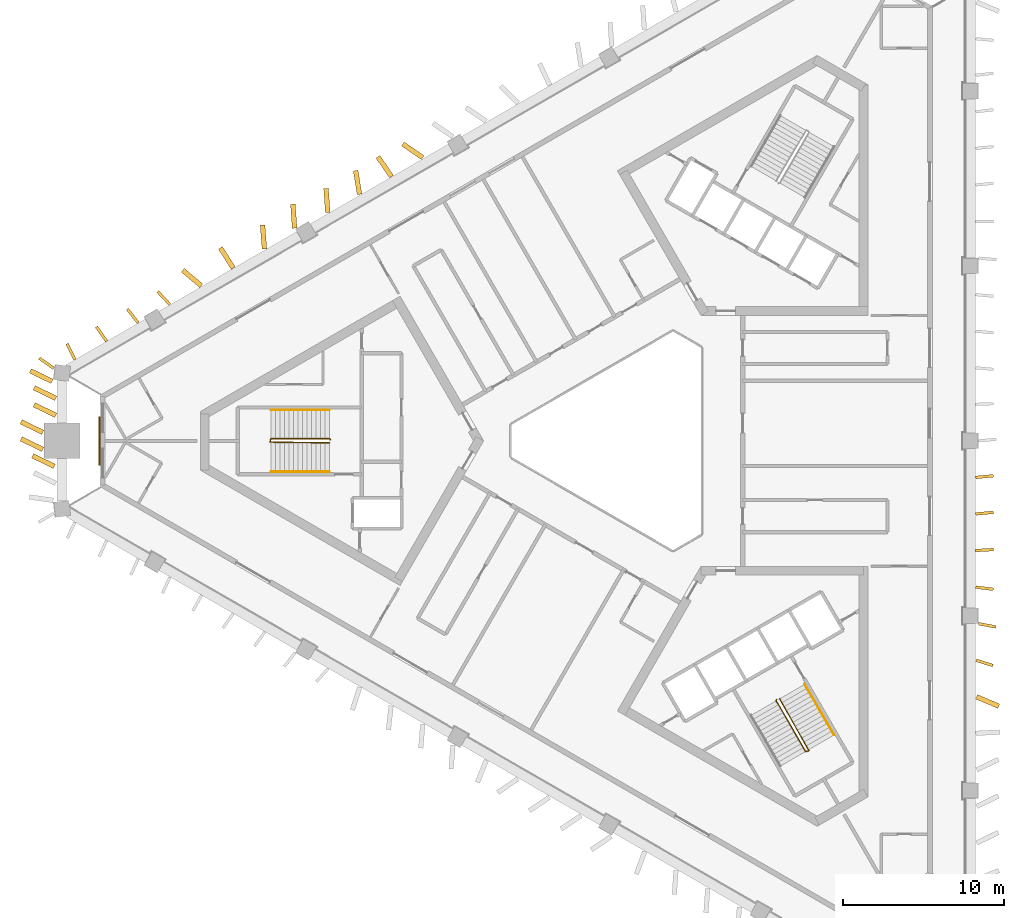
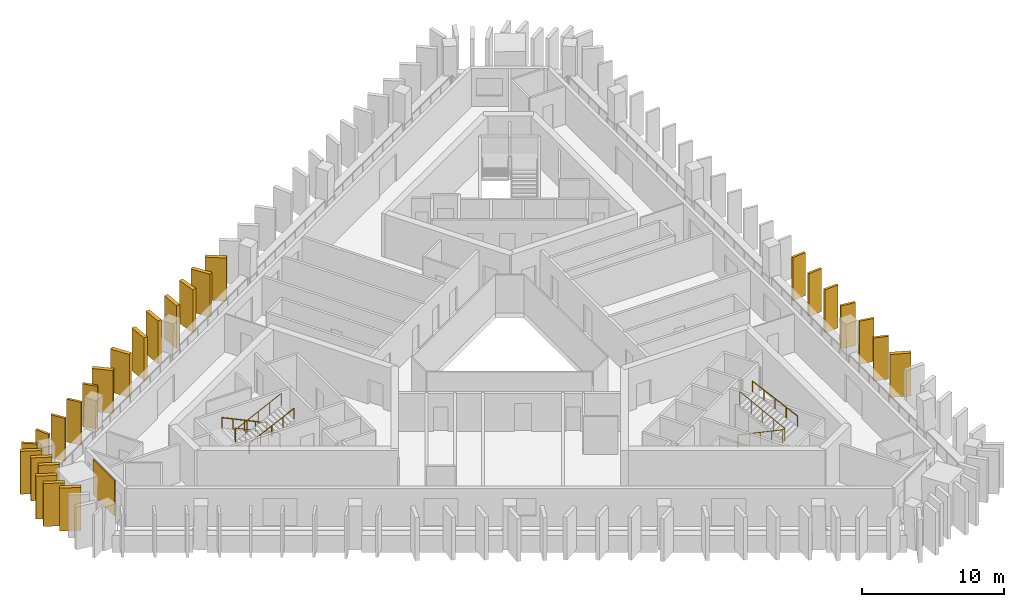
# One storey, part 8 of 10: 26 shading devices, 5 railings, 1 covering.
"""IFC4 building model written with IfcOpenShell, lengths in metres."""

from ifc_helpers import new_model, si_unit, direction, frame, frame_2d, origin, origin_2d, place, context, subcontext, project, spatial, rectangle, circle, extrude, material, layer, layer_set, type_object, element, save


model = new_model("IFC4")

# Units and contexts
model_context = context("Model", 3, precision=1e-05, world=origin(), true_north=direction((0.0, 1.0)))
body_context = subcontext(model_context, "Body", "Model", "MODEL_VIEW")
ifc_project = project(units=[si_unit("LENGTHUNIT", "METRE"), si_unit("AREAUNIT", "SQUARE_METRE"), si_unit("VOLUMEUNIT", "CUBIC_METRE"), si_unit("PLANEANGLEUNIT", "RADIAN"), si_unit("MASSUNIT", "GRAM", prefix="KILO")], contexts=[model_context])

# Site, building, storey
site_placement = place(None, origin())
site = spatial("IfcSite", under=ifc_project, at=site_placement, CompositionType="ELEMENT")
building_placement = place(site_placement, origin())
building = spatial("IfcBuilding", under=site, at=building_placement, Name="Jabali Bay Hotel Tower and Convention Centre", CompositionType="ELEMENT")
storey_placement = place(building_placement, frame((0.0, 0.0, 167.39990234375)))
storey = spatial("IfcBuildingStorey", under=building, at=storey_placement, Name="L40", CompositionType="ELEMENT", Elevation=167.39990234375)

# Shading devices
ifc_material_1 = material(Name="Precast concrete C60", Category="concrete")
ifc_layer_1 = layer(ifc_material_1, 0.179931640625)
ifc_layer_set_1 = layer_set([ifc_layer_1], Name="Precast concrete C60")
shading_device_type_1 = type_object("IfcShadingDeviceType", Name="Precast fin 3680 x 1100", PredefinedType="USERDEFINED", material=ifc_layer_set_1)
shading_device_1_placement = place(storey_placement, frame((96.595458984375, 66.369384765625, 0.010009765625), z_axis=(0.0, 0.0, 1.0), x_axis=(0.954191225605, -0.299197434779, 0.0)))
element("IfcShadingDevice", 1, at=shading_device_1_placement, inside=storey, type_object=shading_device_type_1, Name="Fin L40 006", ObjectType="FIN", PredefinedType="USERDEFINED", context=body_context, shape_type="SweptSolid", body=[
    extrude(rectangle(XDim=1.099853515625, YDim=0.179931640625, at=frame_2d((0.5498046875, 0.0))), origin(), (0.0, 0.0, 1.0), 3.68017578125),
])
shading_device_2_placement = place(storey_placement, frame((96.7490234375, 68.64111328125, 0.010009765625), z_axis=(0.0, 0.0, 1.0), x_axis=(0.982217933721, -0.187744322623, 0.0)))
element("IfcShadingDevice", 2, at=shading_device_2_placement, inside=storey, type_object=shading_device_type_1, Name="Fin L40 007", ObjectType="FIN", PredefinedType="USERDEFINED", context=body_context, shape_type="SweptSolid", body=[
    extrude(rectangle(XDim=1.10009765625, YDim=0.179931640625, at=frame_2d((0.550048828125, 0.0))), origin(), (0.0, 0.0, 1.0), 3.68017578125),
])
shading_device_3_placement = place(storey_placement, frame((96.579833984375, 70.912841796875, 0.010009765625), z_axis=(0.0, 0.0, 1.0), x_axis=(0.992133797061, -0.125181982448, 0.0)))
element("IfcShadingDevice", 3, at=shading_device_3_placement, inside=storey, type_object=shading_device_type_1, Name="Fin L40 008", ObjectType="FIN", PredefinedType="USERDEFINED", context=body_context, shape_type="SweptSolid", body=[
    extrude(rectangle(XDim=1.099853515625, YDim=0.179931640625, at=frame_2d((0.5498046875, 0.0))), origin(), (0.0, 0.0, 1.0), 3.68017578125),
])
for number, where, z_axis, x_axis, name in (
    (4, (96.573486328125, 73.1845703125, 0.010009765625), (0.0, 0.0, 1.0), (0.998397590446, 0.056588438667, 0.0), "Fin L40 009"),
    (5, (96.576904296875, 75.45654296875, 0.010009765625), (0.0, 0.0, 1.0), (0.995479501061, 0.094976644328, 0.0), "Fin L40 010"),
    (6, (96.57666015625, 77.728271484375, 0.010009765625), (0.0, 0.0, 1.0), (0.995709303275, 0.092536389451, 0.0), "Fin L40 011"),
    (7, (46.4990234375, 88.473388671875, 0.010009765625), (0.0, 0.0, 1.0), (-0.681582493106, 0.731741282894, 0.0), "Fin L40 054"),
):
    element("IfcShadingDevice", number, at=place(storey_placement, frame(where, z_axis=z_axis, x_axis=x_axis)), inside=storey, type_object=shading_device_type_1, Name=name, ObjectType="FIN", PredefinedType="USERDEFINED", context=body_context, shape_type="SweptSolid", body=[
        extrude(rectangle(XDim=1.10009765625, YDim=0.179931640625, at=frame_2d((0.550048828125, 0.0))), origin(), (0.0, 0.0, 1.0), 3.68017578125),
    ])
shading_device_4_placement = place(storey_placement, frame((44.53515625, 87.3310546875, 0.010009765625), z_axis=(0.0, 0.0, 1.0), x_axis=(-0.617468608103, 0.786595523765, 0.0)))
element("IfcShadingDevice", 8, at=shading_device_4_placement, inside=storey, type_object=shading_device_type_1, Name="Fin L40 055", ObjectType="FIN", PredefinedType="USERDEFINED", context=body_context, shape_type="SweptSolid", body=[
    extrude(rectangle(XDim=1.099853515625, YDim=0.179931640625, at=frame_2d((0.5498046875, 0.0))), origin(), (0.0, 0.0, 1.0), 3.68017578125),
])
for number, where, z_axis, x_axis, name in (
    (9, (42.5703125, 86.190673828125, 0.010009765625), (0.0, 0.0, 1.0), (-0.572598108682, 0.819836206772, 0.0), "Fin L40 056"),
    (10, (40.604248046875, 85.052734375, 0.010009765625), (0.0, 0.0, 1.0), (-0.44872201423, 0.893671390358, 0.0), "Fin L40 057"),
    (11, (39.28173828125, 84.508544921875, 0.010009765625), (0.0, 0.0, 1.0), (-0.814871470204, 0.5796416885, 0.0), "Fin L40 102"),
):
    element("IfcShadingDevice", number, at=place(storey_placement, frame(where, z_axis=z_axis, x_axis=x_axis)), inside=storey, type_object=shading_device_type_1, Name=name, ObjectType="FIN", PredefinedType="USERDEFINED", context=body_context, shape_type="SweptSolid", body=[
        extrude(rectangle(XDim=1.10009765625, YDim=0.179931640625, at=frame_2d((0.550048828125, 0.0))), origin(), (0.0, 0.0, 1.0), 3.68017578125),
    ])
ifc_layer_2 = layer(ifc_material_1, 0.300048828125)
ifc_layer_set_2 = layer_set([ifc_layer_2], Name="Precast concrete C60")
shading_device_type_2 = type_object("IfcShadingDeviceType", Name="Precast fin 3680 x 1500", PredefinedType="USERDEFINED", material=ifc_layer_set_2)
for number, where, z_axis, x_axis, name in (
    (12, (96.626953125, 64.09765625, 0.010009765625), (0.0, 0.0, 1.0), (0.920895351488, -0.389809891625, 0.0), "Fin L40 005"),
    (13, (62.216064453125, 97.598876953125, 0.010009765625), (0.0, 0.0, 1.0), (-0.824231839999, 0.566252482495, 0.0), "Fin L40 046"),
    (14, (60.275390625, 96.4169921875, 0.010009765625), (0.0, 0.0, 1.0), (-0.564129479683, 0.825686338843, 0.0), "Fin L40 047"),
    (15, (58.286865234375, 95.3173828125, 0.010009765625), (0.0, 0.0, 1.0), (-0.159513894445, 0.987195683479, 0.0), "Fin L40 048"),
):
    element("IfcShadingDevice", number, at=place(storey_placement, frame(where, z_axis=z_axis, x_axis=x_axis)), inside=storey, type_object=shading_device_type_2, Name=name, ObjectType="FIN", PredefinedType="USERDEFINED", context=body_context, shape_type="SweptSolid", body=[
        extrude(rectangle(XDim=1.5, YDim=0.300048828125, at=frame_2d((0.75, 0.0))), origin(), (0.0, 0.0, 1.0), 3.68017578125),
    ])
for number, where, z_axis, x_axis, name in (
    (16, (56.313232421875, 94.192138671875, 0.010009765625), (0.0, 0.0, 1.0), (-0.070969422699, 0.997478491518, 0.0), "Fin L40 049"),
    (17, (54.2548828125, 93.214111328125, 0.010009765625), (0.0, 0.0, 1.0), (-0.072600465566, 0.997361104315, 0.0), "Fin L40 050"),
):
    element("IfcShadingDevice", number, at=place(storey_placement, frame(where, z_axis=z_axis, x_axis=x_axis)), inside=storey, type_object=shading_device_type_2, Name=name, ObjectType="FIN", PredefinedType="USERDEFINED", context=body_context, shape_type="SweptSolid", body=[
        extrude(rectangle(XDim=1.499755859375, YDim=0.300048828125, at=frame_2d((0.75, 0.0))), origin(), (0.0, 0.0, 1.0), 3.68017578125),
    ])
for number, where, z_axis, x_axis, name in (
    (18, (52.379150390625, 91.91943359375, 0.010009765625), (0.0, 0.0, 1.0), (-0.078936591816, 0.99687963891, 0.0), "Fin L40 051"),
    (19, (50.44091796875, 90.732666015625, 0.010009765625), (0.0, 0.0, 1.0), (-0.533564238007, 0.845759542613, 0.0), "Fin L40 052"),
    (20, (48.451171875, 89.6357421875, 0.010009765625), (0.0, 0.0, 1.0), (-0.763639336488, 0.645643062201, 0.0), "Fin L40 053"),
):
    element("IfcShadingDevice", number, at=place(storey_placement, frame(where, z_axis=z_axis, x_axis=x_axis)), inside=storey, type_object=shading_device_type_2, Name=name, ObjectType="FIN", PredefinedType="USERDEFINED", context=body_context, shape_type="SweptSolid", body=[
        extrude(rectangle(XDim=1.5, YDim=0.300048828125, at=frame_2d((0.75, 0.0))), origin(), (0.0, 0.0, 1.0), 3.68017578125),
    ])
for number, where, z_axis, x_axis, name in (
    (21, (39.178466796875, 83.69873046875, 0.010009765625), (0.0, 0.0, 1.0), (-0.899160672984, 0.437618651521, 0.0), "Fin L40 058"),
    (22, (39.4169921875, 82.641845703125, 0.010009765625), (0.0, 0.0, 1.0), (-0.899160672984, 0.437618651521, 0.0), "Fin L40 059"),
    (23, (39.4169921875, 81.585205078125, 0.010009765625), (0.0, 0.0, 1.0), (-0.899160672984, 0.437618651521, 0.0), "Fin L40 060"),
):
    element("IfcShadingDevice", number, at=place(storey_placement, frame(where, z_axis=z_axis, x_axis=x_axis)), inside=storey, type_object=shading_device_type_2, Name=name, ObjectType="FIN", PredefinedType="USERDEFINED", context=body_context, shape_type="SweptSolid", body=[
        extrude(rectangle(XDim=1.500244140625, YDim=0.300048828125, at=frame_2d((0.75, 0.0))), origin(), (0.0, 0.0, 1.0), 3.68017578125),
    ])
for number, where, z_axis, x_axis, name in (
    (24, (38.604248046875, 80.5283203125, 0.010009765625), (0.0, 0.0, 1.0), (-0.899129499022, 0.43768269784, 0.0), "Fin L40 061"),
    (25, (38.604248046875, 79.4716796875, 0.010009765625), (0.0, 0.0, 1.0), (-0.899129499022, 0.43768269784, 0.0), "Fin L40 062"),
    (26, (39.323974609375, 78.414794921875, 0.010009765625), (0.0, 0.0, 1.0), (-0.899129499022, 0.43768269784, 0.0), "Fin L40 063"),
):
    element("IfcShadingDevice", number, at=place(storey_placement, frame(where, z_axis=z_axis, x_axis=x_axis)), inside=storey, type_object=shading_device_type_2, Name=name, ObjectType="FIN", PredefinedType="USERDEFINED", context=body_context, shape_type="SweptSolid", body=[
        extrude(rectangle(XDim=1.5, YDim=0.300048828125, at=frame_2d((0.75, 0.0))), origin(), (0.0, 0.0, 1.0), 3.68017578125),
    ])

# Covering
ifc_material_2 = material(Name="Precast concrete C40/50", Category="concrete")
ifc_layer_3 = layer(ifc_material_2, 0.080078125)
ifc_layer_set_3 = layer_set([ifc_layer_3], Name="Precast concrete C40/50")
covering_type = type_object("IfcCoveringType", Name="Relief panel 3000 x 3050", PredefinedType="CLADDING", material=ifc_layer_set_3)
covering_placement = place(storey_placement, frame((42.12939453125, 80.0, 0.10009765625), z_axis=(0.0, 0.0, 1.0), x_axis=(0.0, 1.0, 0.0)))
element("IfcCovering", 27, at=covering_placement, inside=storey, type_object=covering_type, Name="Relief panel L40", PredefinedType="CLADDING", context=body_context, shape_type="SweptSolid", body=[
    extrude(rectangle(XDim=3.0, YDim=0.080078125, at=origin_2d()), origin(), (0.0, 0.0, 1.0), 3.050048828125),
])

# Railings
ifc_material_3 = material(Name="Steel Q355B", Category="steel")
railing_type_1 = type_object("IfcRailingType", Name="Stair guard 1100", PredefinedType="GUARDRAIL", material=ifc_material_3)
railing_1_placement = place(storey_placement, frame((56.469970703125, 80.074951171875, 0.0)))
element("IfcRailing", 28, at=railing_1_placement, inside=storey, type_object=railing_type_1, Name="L40 ST1 stair guard 1", PredefinedType="GUARDRAIL", context=body_context, shape_type="SweptSolid", body=[
    extrude(circle(Radius=0.02392578125, at=origin_2d()), frame((0.0, 0.0, 1.076171875), z_axis=(-0.333514590198, 0.333514590198, 0.881780038474), x_axis=(-0.707106781187, -0.707106781187, 0.0)), (0.0, 0.0, 1.0), 0.150146484375),
    extrude(circle(Radius=0.02392578125, at=origin_2d()), frame((-0.050048828125, 0.050048828125, 1.20849609375), z_axis=(-0.904350763662, 0.0, 0.426789990819), x_axis=(0.0, -1.0, 0.0)), (0.0, 0.0, 1.0), 4.02490234375),
    extrude(circle(Radius=0.02392578125, at=origin_2d()), frame((-3.68994140625, 0.050048828125, 2.92626953125), z_axis=(-0.242814311512, -0.970072785993, 0.0), x_axis=(0.970072785993, -0.242814311512, 0.0)), (0.0, 0.0, 1.0), 0.2060546875),
    extrude(circle(Radius=0.02392578125, at=origin_2d()), frame((-3.739990234375, -0.14990234375, 2.92626953125), z_axis=(0.893864111827, -0.012124000458, 0.448174026692), x_axis=(0.013562335953, 0.999908027292, 0.0)), (0.0, 0.0, 1.0), 4.128173828125),
    extrude(circle(Radius=0.02099609375, at=origin_2d()), origin(), (0.0, 0.0, 1.0), 1.052001953125),
    extrude(circle(Radius=0.02099609375, at=origin_2d()), frame((-0.050048828125, 0.050048828125, 0.13232421875)), (0.0, 0.0, 1.0), 1.052001953125),
    extrude(circle(Radius=0.02099609375, at=origin_2d()), frame((-0.9599609375, 0.050048828125, 0.561767578125)), (0.0, 0.0, 1.0), 1.052001953125),
    extrude(circle(Radius=0.02099609375, at=origin_2d()), frame((-1.8701171875, 0.050048828125, 0.9912109375)), (0.0, 0.0, 1.0), 1.052001953125),
    extrude(circle(Radius=0.02099609375, at=origin_2d()), frame((-2.780029296875, 0.050048828125, 1.420654296875)), (0.0, 0.0, 1.0), 1.052001953125),
    extrude(circle(Radius=0.02099609375, at=origin_2d()), frame((-3.68994140625, 0.050048828125, 1.85009765625)), (0.0, 0.0, 1.0), 1.052001953125),
    extrude(circle(Radius=0.02099609375, at=origin_2d()), frame((-3.739990234375, -0.14990234375, 1.85009765625)), (0.0, 0.0, 1.0), 1.052001953125),
    extrude(circle(Radius=0.02099609375, at=origin_2d()), frame((-2.8173828125, -0.162353515625, 2.3125)), (0.0, 0.0, 1.0), 1.052001953125),
    extrude(circle(Radius=0.02099609375, at=origin_2d()), frame((-1.89501953125, -0.1748046875, 2.775146484375)), (0.0, 0.0, 1.0), 1.052001953125),
    extrude(circle(Radius=0.02099609375, at=origin_2d()), frame((-0.97265625, -0.1875, 3.23779296875)), (0.0, 0.0, 1.0), 1.052001953125),
    extrude(circle(Radius=0.02099609375, at=origin_2d()), frame((-0.050048828125, -0.199951171875, 3.7001953125)), (0.0, 0.0, 1.0), 1.052001953125),
])
railing_2_placement = place(storey_placement, frame((84.199951171875, 63.9150390625, 0.0)))
element("IfcRailing", 29, at=railing_2_placement, inside=storey, type_object=railing_type_1, Name="L40 ST3 stair guard 1", PredefinedType="GUARDRAIL", context=body_context, shape_type="SweptSolid", body=[
    extrude(circle(Radius=0.02392578125, at=origin_2d()), frame((0.0, 0.0, 1.076171875), z_axis=(-0.122021570157, -0.455547195254, 0.88180921367), x_axis=(0.965948051503, -0.258736085224, 0.0)), (0.0, 0.0, 1.0), 0.150146484375),
    extrude(circle(Radius=0.02392578125, at=origin_2d()), frame((-0.018310546875, -0.068359375, 1.20849609375), z_axis=(0.452190331055, -0.783190014029, 0.426775475427), x_axis=(0.866018046521, 0.500012742938, 0.0)), (0.0, 0.0, 1.0), 4.02490234375),
    extrude(circle(Radius=0.02392578125, at=origin_2d()), frame((1.8017578125, -3.220703125, 2.92626953125), z_axis=(0.96121063429, 0.275815366736, 0.0), x_axis=(-0.275815366736, 0.96121063429, 0.0)), (0.0, 0.0, 1.0), 0.206298828125),
    extrude(circle(Radius=0.02392578125, at=origin_2d()), frame((2.0, -3.163818359375, 2.92626953125), z_axis=(-0.436470229993, 0.780146179382, 0.448180406895), x_axis=(-0.872702246529, -0.488252792008, 0.0)), (0.0, 0.0, 1.0), 4.1279296875),
    extrude(circle(Radius=0.02099609375, at=origin_2d()), origin(), (0.0, 0.0, 1.0), 1.052001953125),
    extrude(circle(Radius=0.02099609375, at=origin_2d()), frame((-0.018310546875, -0.068359375, 0.13232421875)), (0.0, 0.0, 1.0), 1.052001953125),
    extrude(circle(Radius=0.02099609375, at=origin_2d()), frame((0.436767578125, -0.8564453125, 0.561767578125)), (0.0, 0.0, 1.0), 1.052001953125),
    extrude(circle(Radius=0.02099609375, at=origin_2d()), frame((0.8916015625, -1.64453125, 0.9912109375)), (0.0, 0.0, 1.0), 1.052001953125),
    extrude(circle(Radius=0.02099609375, at=origin_2d()), frame((1.3466796875, -2.4326171875, 1.420654296875)), (0.0, 0.0, 1.0), 1.052001953125),
    extrude(circle(Radius=0.02099609375, at=origin_2d()), frame((1.8017578125, -3.220703125, 1.85009765625)), (0.0, 0.0, 1.0), 1.052001953125),
    extrude(circle(Radius=0.02099609375, at=origin_2d()), frame((2.0, -3.163818359375, 1.85009765625)), (0.0, 0.0, 1.0), 1.052001953125),
    extrude(circle(Radius=0.02099609375, at=origin_2d()), frame((1.549560546875, -2.358642578125, 2.3125)), (0.0, 0.0, 1.0), 1.052001953125),
    extrude(circle(Radius=0.02099609375, at=origin_2d()), frame((1.09912109375, -1.5537109375, 2.775146484375)), (0.0, 0.0, 1.0), 1.052001953125),
    extrude(circle(Radius=0.02099609375, at=origin_2d()), frame((0.648681640625, -0.74853515625, 3.23779296875)), (0.0, 0.0, 1.0), 1.052001953125),
    extrude(circle(Radius=0.02099609375, at=origin_2d()), frame((0.1982421875, 0.056640625, 3.7001953125)), (0.0, 0.0, 1.0), 1.052001953125),
])
railing_type_2 = type_object("IfcRailingType", Name="Stair handrail 900", PredefinedType="HANDRAIL", material=ifc_material_3)
railing_3_placement = place(storey_placement, frame((56.419921875, 81.925048828125, 0.13232421875)))
element("IfcRailing", 30, at=railing_3_placement, inside=storey, type_object=railing_type_2, Name="L40 ST1 stair handrail 1", PredefinedType="HANDRAIL", context=body_context, shape_type="SweptSolid", body=[
    extrude(circle(Radius=0.02392578125, at=origin_2d()), frame((0.0, 0.0, 0.8759765625), z_axis=(-0.904350763662, 0.0, 0.426789990819), x_axis=(0.0, -1.0, 0.0)), (0.0, 0.0, 1.0), 4.02490234375),
    extrude(circle(Radius=0.02099609375, at=origin_2d()), origin(), (0.0, 0.0, 1.0), 0.851806640625),
    extrude(circle(Radius=0.02099609375, at=origin_2d()), frame((-0.909912109375, 0.0, 0.429443359375)), (0.0, 0.0, 1.0), 0.851806640625),
    extrude(circle(Radius=0.02099609375, at=origin_2d()), frame((-1.81982421875, 0.0, 0.85888671875)), (0.0, 0.0, 1.0), 0.851806640625),
    extrude(circle(Radius=0.02099609375, at=origin_2d()), frame((-2.72998046875, 0.0, 1.288330078125)), (0.0, 0.0, 1.0), 0.851806640625),
    extrude(circle(Radius=0.02099609375, at=origin_2d()), frame((-3.639892578125, 0.0, 1.7177734375)), (0.0, 0.0, 1.0), 0.851806640625),
])
railing_4_placement = place(storey_placement, frame((52.780029296875, 78.074951171875, 1.982177734375)))
element("IfcRailing", 31, at=railing_4_placement, inside=storey, type_object=railing_type_2, Name="L40 ST1 stair handrail 2", PredefinedType="HANDRAIL", context=body_context, shape_type="SweptSolid", body=[
    extrude(circle(Radius=0.02392578125, at=origin_2d()), frame((0.0, 0.0, 0.8759765625), z_axis=(0.904327350853, 0.0, 0.426839598092), x_axis=(0.0, 1.0, 0.0)), (0.0, 0.0, 1.0), 4.02490234375),
    extrude(circle(Radius=0.02099609375, at=origin_2d()), origin(), (0.0, 0.0, 1.0), 0.851806640625),
    extrude(circle(Radius=0.02099609375, at=origin_2d()), frame((0.909912109375, 0.0, 0.429443359375)), (0.0, 0.0, 1.0), 0.851806640625),
    extrude(circle(Radius=0.02099609375, at=origin_2d()), frame((1.81982421875, 0.0, 0.85888671875)), (0.0, 0.0, 1.0), 0.851806640625),
    extrude(circle(Radius=0.02099609375, at=origin_2d()), frame((2.72998046875, 0.0, 1.28857421875)), (0.0, 0.0, 1.0), 0.851806640625),
    extrude(circle(Radius=0.02099609375, at=origin_2d()), frame((3.639892578125, 0.0, 1.718017578125)), (0.0, 0.0, 1.0), 0.851806640625),
])
railing_5_placement = place(storey_placement, frame((87.777099609375, 61.719482421875, 1.982177734375)))
element("IfcRailing", 32, at=railing_5_placement, inside=storey, type_object=railing_type_2, Name="L40 ST3 stair handrail 2", PredefinedType="HANDRAIL", context=body_context, shape_type="SweptSolid", body=[
    extrude(circle(Radius=0.02392578125, at=origin_2d()), frame((0.0, 0.0, 0.8759765625), z_axis=(-0.45217862506, 0.783169739339, 0.426825081763), x_axis=(-0.866018046521, -0.500012742938, 0.0)), (0.0, 0.0, 1.0), 4.025146484375),
    extrude(circle(Radius=0.02099609375, at=origin_2d()), origin(), (0.0, 0.0, 1.0), 0.851806640625),
    extrude(circle(Radius=0.02099609375, at=origin_2d()), frame((-0.455078125, 0.7880859375, 0.429443359375)), (0.0, 0.0, 1.0), 0.851806640625),
    extrude(circle(Radius=0.02099609375, at=origin_2d()), frame((-0.91015625, 1.576171875, 0.85888671875)), (0.0, 0.0, 1.0), 0.851806640625),
    extrude(circle(Radius=0.02099609375, at=origin_2d()), frame((-1.364990234375, 2.3642578125, 1.28857421875)), (0.0, 0.0, 1.0), 0.851806640625),
    extrude(circle(Radius=0.02099609375, at=origin_2d()), frame((-1.820068359375, 3.15234375, 1.718017578125)), (0.0, 0.0, 1.0), 0.851806640625),
])

save(model, "model.ifc")
